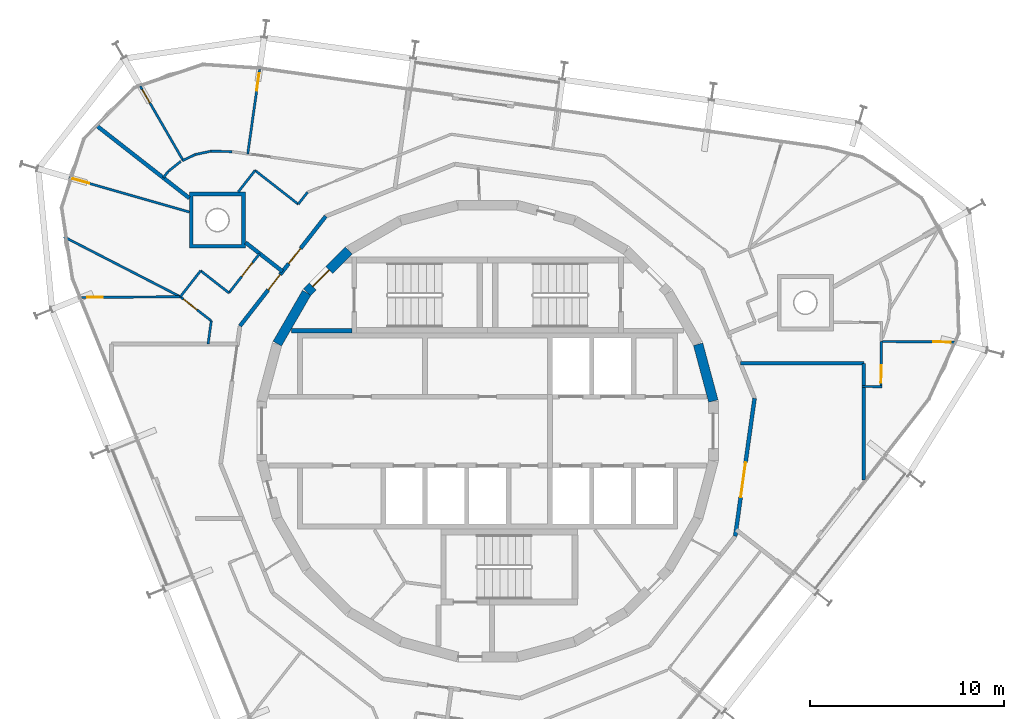
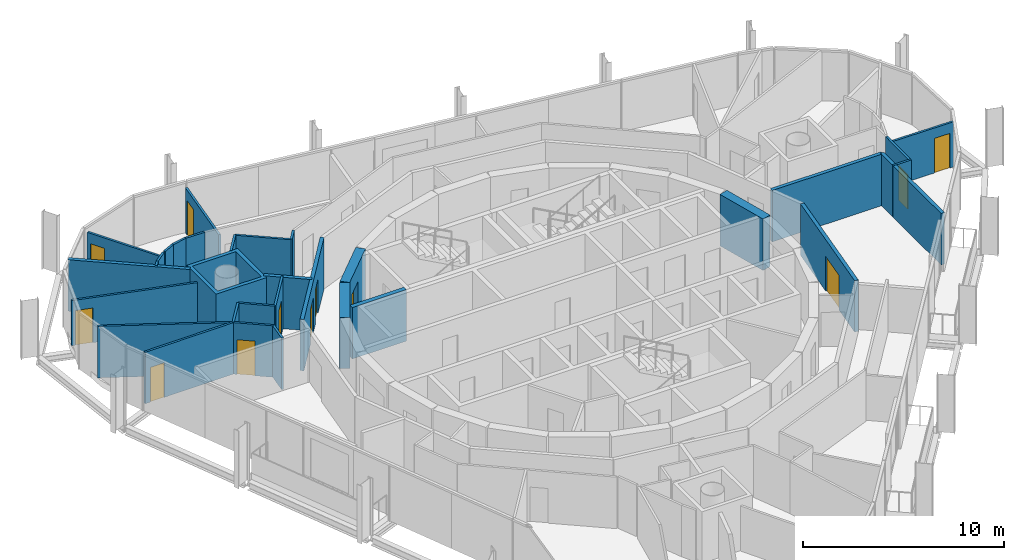
# One storey, part 12 of 15: 32 walls, 12 doors, 12 openings.
"""IFC4 building model written with IfcOpenShell, lengths in metres."""

import ifcopenshell
import ifcopenshell.guid

model = None  # the IFC model being written
_history = None  # IfcOwnerHistory: only IFC2X3 demands one
_inside = {}  # id of a spatial element -> (the spatial element, [elements in it])
_under = {}  # id of a project, library or spatial element -> (it, [spatial elements below it])
_declared = {}  # id of a project -> (the project, [libraries it declares])
_typed = {}  # id of a type object -> (the type object, [elements of that type])
_made_of = {}  # id of a material, layer set ... -> (it, [elements and type objects made of it])


def new_model(schema):
    """Start an empty IFC model of exactly this schema.

    Asked for "IFC4X3", IfcOpenShell would pick the latest addendum, in which some entities
    have other attributes; the version numbers below select the first issue.
    IFC2X3 requires an IfcOwnerHistory on every rooted entity: one is made here for all.
    """
    global model, _history
    if schema == "IFC4X3":
        model = ifcopenshell.file(schema_version=(4, 3, 0, 0))
    else:
        model = ifcopenshell.file(schema=schema)
    _inside.clear()
    _under.clear()
    _declared.clear()
    _typed.clear()
    _made_of.clear()
    _history = None
    if model.schema == "IFC2X3":
        org = make("IfcOrganization", Name="unknown")
        user = make(
            "IfcPersonAndOrganization",
            ThePerson=make("IfcPerson", FamilyName="unknown"),
            TheOrganization=org,
        )
        app = make(
            "IfcApplication",
            ApplicationDeveloper=org,
            Version="unknown",
            ApplicationFullName="unknown",
            ApplicationIdentifier="unknown",
        )
        _history = make(
            "IfcOwnerHistory",
            OwningUser=user,
            OwningApplication=app,
            ChangeAction="ADDED",
            CreationDate=0,
        )
    return model


def make(cls, **values):
    """One entity of the class cls with the attributes given. An attribute that is None is left unset."""
    return model.create_entity(
        cls, **{name: value for name, value in values.items() if value is not None}
    )


def rooted(cls, **values):
    """An entity with a GlobalId (a new one), such as an element, a storey or a relation."""
    return make(cls, GlobalId=ifcopenshell.guid.new(), OwnerHistory=_history, **values)


def si_unit(unit_type, name, prefix=None):
    """IfcSIUnit, for example si_unit("LENGTHUNIT", "METRE", prefix="MILLI")."""
    return make("IfcSIUnit", UnitType=unit_type, Prefix=prefix, Name=name)


def assignment(units):
    """IfcUnitAssignment: the units of a project."""
    return None if units is None else make("IfcUnitAssignment", Units=units)


def point(xyz):
    """IfcCartesianPoint."""
    return None if xyz is None else make("IfcCartesianPoint", Coordinates=xyz)


def direction(xyz):
    """IfcDirection."""
    return None if xyz is None else make("IfcDirection", DirectionRatios=xyz)


def frame(location, z_axis=None, x_axis=None):
    """IfcAxis2Placement3D, a coordinate frame: its origin and axes. An axis left out is left unset."""
    return make(
        "IfcAxis2Placement3D",
        Location=point(location),
        Axis=direction(z_axis),
        RefDirection=direction(x_axis),
    )


def frame_2d(location, x_axis=None):
    """IfcAxis2Placement2D, a coordinate frame in the plane: its origin and x axis."""
    return make(
        "IfcAxis2Placement2D", Location=point(location), RefDirection=direction(x_axis)
    )


def origin():
    """The frame at (0, 0, 0) with its axes left unset."""
    return frame((0.0, 0.0, 0.0))


def place(relative_to, where):
    """IfcLocalPlacement: puts the frame where relative to a parent placement (None: the world)."""
    return make(
        "IfcLocalPlacement", PlacementRelTo=relative_to, RelativePlacement=where
    )


def context(
    kind, dimensions, precision=None, world=None, true_north=None, identifier=None
):
    """IfcGeometricRepresentationContext, for example the 3D "Model" context."""
    return make(
        "IfcGeometricRepresentationContext",
        ContextIdentifier=identifier,
        ContextType=kind,
        CoordinateSpaceDimension=dimensions,
        Precision=precision,
        WorldCoordinateSystem=world,
        TrueNorth=true_north,
    )


def subcontext(parent, identifier, kind, view, scale=None):
    """IfcGeometricRepresentationSubContext, for example "Body" below "Model"."""
    return make(
        "IfcGeometricRepresentationSubContext",
        ContextIdentifier=identifier,
        ContextType=kind,
        ParentContext=parent,
        TargetScale=scale,
        TargetView=view,
    )


def project(units=None, contexts=None):
    """IfcProject with its units and contexts."""
    return rooted(
        "IfcProject",
        Name="project",
        RepresentationContexts=contexts,
        UnitsInContext=assignment(units),
    )


def spatial(cls, under=None, at=None, **own):
    """A site, building, storey or space (cls), placed at a placement, below another one or the project."""
    s = rooted(cls, ObjectPlacement=at, **own)
    if under is not None:
        _under.setdefault(under.id(), (under, []))[1].append(s)
    return s


def polyline(points):
    """IfcPolyline through the points."""
    return make("IfcPolyline", Points=[point(p) for p in points])


def profile(cls, at=None, kind="AREA", **sizes):
    """A parametric profile (cls). Its sizes go by their IFC names, for example OverallWidth=200.0."""
    return make(cls, ProfileType=kind, Position=at, **sizes)


def rectangle(**sizes):
    """IfcRectangleProfileDef."""
    return profile("IfcRectangleProfileDef", **sizes)


def outline(outer, holes=None, kind="AREA"):
    """IfcArbitraryClosedProfileDef: a profile drawn as a closed curve; with holes, ...WithVoids."""
    if holes is None:
        return make("IfcArbitraryClosedProfileDef", ProfileType=kind, OuterCurve=outer)
    return make(
        "IfcArbitraryProfileDefWithVoids",
        ProfileType=kind,
        OuterCurve=outer,
        InnerCurves=holes,
    )


def extrude(swept, where, along, depth):
    """IfcExtrudedAreaSolid: the profile swept, set in the frame where, extruded along a direction by depth."""
    return make(
        "IfcExtrudedAreaSolid",
        SweptArea=swept,
        Position=where,
        ExtrudedDirection=direction(along),
        Depth=depth,
    )


def shape(context_of_items, identifier, shape_type, items):
    """IfcShapeRepresentation: the items that make up one representation, for example the "Body"."""
    return make(
        "IfcShapeRepresentation",
        ContextOfItems=context_of_items,
        RepresentationIdentifier=identifier,
        RepresentationType=shape_type,
        Items=items,
    )


def material(Name=None, Category=None):
    """IfcMaterial."""
    return make("IfcMaterial", Name=Name, Category=Category)


def layer(
    of_material, thickness, ventilated=None, Name=None, Category=None, Priority=None
):
    """IfcMaterialLayer: one layer of a wall or slab, of a material (None: an air gap)."""
    return make(
        "IfcMaterialLayer",
        Material=of_material,
        LayerThickness=thickness,
        IsVentilated=ventilated,
        Name=Name,
        Category=Category,
        Priority=Priority,
    )


def layer_set(layers, Name=None):
    """IfcMaterialLayerSet."""
    return make("IfcMaterialLayerSet", MaterialLayers=layers, LayerSetName=Name)


def made_of(thing, what):
    """Note that an element or type object is made of a material, layer set ...; save() writes the relation."""
    if what is not None:
        _made_of.setdefault(what.id(), (what, []))[1].append(thing)
    return thing


def type_object(cls, material=None, **own):
    """A type object (cls), such as IfcWallType, which elements share."""
    return made_of(rooted(cls, **own), material)


def element(
    cls,
    number,
    at=None,
    inside=None,
    cuts=None,
    type_object=None,
    material=None,
    context=None,
    identifier="Body",
    shape_type=None,
    held_by="IfcProductDefinitionShape",
    body=None,
    shapes=None,
    **own,
):
    """One element of the class cls, such as IfcWall. Its Tag is "e" and its number.

    at: its placement. inside: the storey or other place that contains it. cuts: it is an
    opening in that element (IfcRelVoidsElement). A single representation is given by context,
    identifier, shape_type and body (its items); several are given by shapes. held_by: the class
    of the entity that holds the representations. save() writes the other relations.
    """
    e = rooted(cls, Tag="e%d" % number, ObjectPlacement=at, **own)
    if body is not None:
        shapes = [shape(context, identifier, shape_type, body)]
    if shapes is not None:
        e.Representation = make(held_by, Representations=shapes)
    if inside is not None:
        _inside.setdefault(inside.id(), (inside, []))[1].append(e)
    if cuts is not None:
        rooted(
            "IfcRelVoidsElement", RelatingBuildingElement=cuts, RelatedOpeningElement=e
        )
    if type_object is not None:
        _typed.setdefault(type_object.id(), (type_object, []))[1].append(e)
    return made_of(e, material)


def fill(opening, filler):
    """IfcRelFillsElement: the door or window that sits in an opening."""
    return rooted(
        "IfcRelFillsElement",
        RelatingOpeningElement=opening,
        RelatedBuildingElement=filler,
    )


def aggregate(whole, parts):
    """IfcRelAggregates: a whole, such as a stair, and the parts it consists of."""
    return rooted("IfcRelAggregates", RelatingObject=whole, RelatedObjects=parts)


def save(model, path):
    """Write the relations noted so far, then the file.

    IfcRelAggregates (storeys below a building ...), IfcRelContainedInSpatialStructure (elements
    in a storey), IfcRelDefinesByType, IfcRelAssociatesMaterial and IfcRelDeclares: one each for
    every whole, place, type object, material and project.
    """
    for whole, parts in _under.values():
        aggregate(whole, parts)
    for where, things in _inside.values():
        rooted(
            "IfcRelContainedInSpatialStructure",
            RelatedElements=things,
            RelatingStructure=where,
        )
    for kind, things in _typed.values():
        rooted("IfcRelDefinesByType", RelatedObjects=things, RelatingType=kind)
    for what, things in _made_of.values():
        rooted("IfcRelAssociatesMaterial", RelatedObjects=things, RelatingMaterial=what)
    for by, libraries in _declared.values():
        rooted("IfcRelDeclares", RelatingContext=by, RelatedDefinitions=libraries)
    model.write(path)


model = new_model("IFC4")

# Units and contexts
model_context = context("Model", 3, precision=1e-05, world=origin(), true_north=direction((0.0, 1.0)))
body_context = subcontext(model_context, "Body", "Model", "MODEL_VIEW")
ifc_project = project(units=[si_unit("LENGTHUNIT", "METRE"), si_unit("AREAUNIT", "SQUARE_METRE"), si_unit("VOLUMEUNIT", "CUBIC_METRE"), si_unit("PLANEANGLEUNIT", "RADIAN"), si_unit("MASSUNIT", "GRAM", prefix="KILO")], contexts=[model_context])

# Site, building, storey
site_placement = place(None, origin())
site = spatial("IfcSite", under=ifc_project, at=site_placement, CompositionType="ELEMENT")
building_placement = place(site_placement, origin())
building = spatial("IfcBuilding", under=site, at=building_placement, Name="Spindle Arch Residences", CompositionType="ELEMENT")
storey_placement = place(building_placement, frame((0.0, 0.0, 340.0)))
storey = spatial("IfcBuildingStorey", under=building, at=storey_placement, Name="L87", CompositionType="ELEMENT", Elevation=340.0)

# Wall
ifc_material_1 = material(Name="Concrete C50/60", Category="concrete")
ifc_layer_1 = layer(ifc_material_1, 0.5)
ifc_layer_set_1 = layer_set([ifc_layer_1], Name="Core outline wall 500")
wall_type_1 = type_object("IfcWallType", Name="Core outline wall 500", PredefinedType="SHEAR", material=ifc_layer_set_1)
wall_1_placement = place(storey_placement, frame((11.642822265625, 1.5498046875, 0.0), z_axis=(0.0, 0.0, 1.0), x_axis=(-0.258734743916, 0.965948410781, 0.0)))
element("IfcWall", 1, at=wall_1_placement, inside=storey, type_object=wall_type_1, Name="Core outline wall 7", PredefinedType="SHEAR", context=body_context, shape_type="SweptSolid", body=[
    extrude(rectangle(XDim=3.03271484375, YDim=0.5, at=frame_2d((1.516357421875, 0.0))), origin(), (0.0, 0.0, 1.0), 3.1201171875),
])

# Wall, opening, door
wall_2_placement = place(storey_placement, frame((-7.163818359375, 9.30810546875, 0.0), z_axis=(0.0, 0.0, 1.0), x_axis=(-0.707106781187, -0.707106781187, 0.0)))
wall_2 = element("IfcWall", 2, at=wall_2_placement, inside=storey, type_object=wall_type_1, Name="Core outline wall 15", PredefinedType="SHEAR", context=body_context, shape_type="SweptSolid", body=[
    extrude(rectangle(XDim=3.032470703125, YDim=0.5, at=frame_2d((1.51611328125, 0.0))), origin(), (0.0, 0.0, 1.0), 3.1201171875),
])
opening_1_placement = place(wall_2_placement, frame((1.416259765625, 0.0, 0.0)))
opening_1 = element("IfcOpeningElement", 3, at=opening_1_placement, cuts=wall_2, Name="Opening R9A0-AD02", PredefinedType="OPENING", context=body_context, shape_type="SweptSolid", body=[
    extrude(rectangle(XDim=1.199951171875, YDim=2.10009765625, at=frame_2d((0.60009765625, 1.050048828125))), frame((0.0, 0.260009765625, 0.0), z_axis=(0.0, -1.0, 0.0), x_axis=(1.0, 0.0, 0.0)), (0.0, 0.0, 1.0), 0.52001953125),
])
ifc_material_2 = material(Name="Steel, fire-resisting door", Category="steel")
door_type_1 = type_object("IfcDoorType", Name="Stair airlock door 1200x2100", OperationType="SINGLE_SWING_LEFT", PredefinedType="DOOR", material=ifc_material_2)
door_1_placement = place(opening_1_placement, origin())
door_1 = element("IfcDoor", 4, at=door_1_placement, inside=storey, type_object=door_type_1, Name="Stair airlock door R9A0-AD02", OperationType="SINGLE_SWING_RIGHT", OverallHeight=2.10009765625, OverallWidth=1.199951171875, PredefinedType="DOOR", context=body_context, shape_type="SweptSolid", body=[
    extrude(rectangle(XDim=1.199951171875, YDim=2.10009765625, at=frame_2d((0.60009765625, 1.050048828125))), frame((0.0, 0.02490234375, 0.0), z_axis=(0.0, -1.0, 0.0), x_axis=(1.0, 0.0, 0.0)), (0.0, 0.0, 1.0), 0.050048828125),
])
fill(opening_1, door_1)

# Wall
wall_3_placement = place(storey_placement, frame((-9.32861328125, 7.13671875, 0.0), z_axis=(0.0, 0.0, 1.0), x_axis=(-0.500087131594, -0.865975092491, 0.0)))
element("IfcWall", 5, at=wall_3_placement, inside=storey, type_object=wall_type_1, Name="Core outline wall 16", PredefinedType="SHEAR", context=body_context, shape_type="SweptSolid", body=[
    extrude(rectangle(XDim=3.03271484375, YDim=0.5, at=frame_2d((1.516357421875, 0.0))), origin(), (0.0, 0.0, 1.0), 3.1201171875),
])

# Wall, openings, doors
ifc_material_3 = material(Name="Calcium silicate block, plastered")
ifc_layer_2 = layer(ifc_material_3, 0.199951171875)
ifc_layer_set_2 = layer_set([ifc_layer_2], Name="Corridor wall 200")
wall_type_2 = type_object("IfcWallType", Name="Corridor wall 200", PredefinedType="STANDARD", material=ifc_layer_set_2)
wall_4_placement = place(storey_placement, frame((-8.348876953125, 11.0791015625, 0.0), z_axis=(0.0, 0.0, 1.0), x_axis=(-0.615669112324, -0.78800478687, 0.0)))
wall_4 = element("IfcWall", 6, at=wall_4_placement, inside=storey, type_object=wall_type_2, Name="Corridor wall R9A0-W012", PredefinedType="STANDARD", context=body_context, shape_type="SweptSolid", body=[
    extrude(rectangle(XDim=7.18115234375, YDim=0.199951171875, at=frame_2d((3.590576171875, 0.0))), origin(), (0.0, 0.0, 1.0), 3.1201171875),
])
opening_2_placement = place(wall_4_placement, frame((2.10009765625, 0.0, 0.0)))
opening_2 = element("IfcOpeningElement", 7, at=opening_2_placement, cuts=wall_4, Name="Opening R9A0-FD03", PredefinedType="OPENING", context=body_context, shape_type="SweptSolid", body=[
    extrude(rectangle(XDim=1.0, YDim=2.10009765625, at=frame_2d((0.5, 1.050048828125))), frame((0.0, 0.10986328125, 0.0), z_axis=(0.0, -1.0, 0.0), x_axis=(1.0, 0.0, 0.0)), (0.0, 0.0, 1.0), 0.219970703125),
])
opening_3_placement = place(wall_4_placement, frame((3.811279296875, 0.0, 0.0)))
opening_3 = element("IfcOpeningElement", 8, at=opening_3_placement, cuts=wall_4, Name="Opening R9A0-FD04", PredefinedType="OPENING", context=body_context, shape_type="SweptSolid", body=[
    extrude(rectangle(XDim=1.0, YDim=2.10009765625, at=frame_2d((0.5, 1.050048828125))), frame((0.0, 0.10986328125, 0.0), z_axis=(0.0, -1.0, 0.0), x_axis=(1.0, 0.0, 0.0)), (0.0, 0.0, 1.0), 0.219970703125),
])
ifc_material_4 = material(Name="Timber, fire-resisting door set", Category="wood")
door_type_2 = type_object("IfcDoorType", Name="Flat entrance door 1000x2100", OperationType="NOTDEFINED", PredefinedType="DOOR", material=ifc_material_4)
door_2_placement = place(opening_2_placement, origin())
door_2 = element("IfcDoor", 9, at=door_2_placement, inside=storey, type_object=door_type_2, Name="Flat entrance door R9A0-FD03", OperationType="SINGLE_SWING_RIGHT", OverallHeight=2.10009765625, OverallWidth=1.0, PredefinedType="DOOR", context=body_context, shape_type="SweptSolid", body=[
    extrude(rectangle(XDim=1.0, YDim=2.10009765625, at=frame_2d((0.5, 1.050048828125))), frame((0.0, 0.02490234375, 0.0), z_axis=(0.0, -1.0, 0.0), x_axis=(1.0, 0.0, 0.0)), (0.0, 0.0, 1.0), 0.050048828125),
])
fill(opening_2, door_2)
door_3_placement = place(opening_3_placement, origin())
door_3 = element("IfcDoor", 10, at=door_3_placement, inside=storey, type_object=door_type_2, Name="Flat entrance door R9A0-FD04", OperationType="SINGLE_SWING_LEFT", OverallHeight=2.10009765625, OverallWidth=1.0, PredefinedType="DOOR", context=body_context, shape_type="SweptSolid", body=[
    extrude(rectangle(XDim=1.0, YDim=2.10009765625, at=frame_2d((0.5, 1.050048828125))), frame((0.0, 0.02490234375, 0.0), z_axis=(0.0, -1.0, 0.0), x_axis=(1.0, 0.0, 0.0)), (0.0, 0.0, 1.0), 0.050048828125),
])
fill(opening_3, door_3)

# Wall, opening, door
ifc_material_5 = material(Name="Calcium silicate block, plastered")
ifc_layer_3 = layer(ifc_material_5, 0.199951171875)
ifc_layer_set_3 = layer_set([ifc_layer_3], Name="Fire-lift lobby bay wall 200")
wall_type_3 = type_object("IfcWallType", Name="Fire-lift lobby bay wall 200", PredefinedType="STANDARD", material=ifc_layer_set_3)
wall_5_placement = place(storey_placement, frame((12.77001953125, -5.42041015625, 0.0), z_axis=(0.0, 0.0, 1.0), x_axis=(0.139155334385, 0.990270565508, 0.0)))
wall_5 = element("IfcWall", 11, at=wall_5_placement, inside=storey, type_object=wall_type_3, Name="Fire-lift lobby bay wall R9A0-W004", PredefinedType="STANDARD", context=body_context, shape_type="SweptSolid", body=[
    extrude(rectangle(XDim=7.180908203125, YDim=0.199951171875, at=frame_2d((3.59033203125, 0.0))), origin(), (0.0, 0.0, 1.0), 3.1201171875),
])
opening_4_placement = place(wall_5_placement, frame((2.039306640625, 0.0, 0.0)))
opening_4 = element("IfcOpeningElement", 12, at=opening_4_placement, cuts=wall_5, Name="Opening R9A0-FB01", PredefinedType="OPENING", context=body_context, shape_type="SweptSolid", body=[
    extrude(rectangle(XDim=1.800048828125, YDim=2.10009765625, at=frame_2d((0.89990234375, 1.050048828125))), frame((0.0, 0.10986328125, 0.0), z_axis=(0.0, -1.0, 0.0), x_axis=(1.0, 0.0, 0.0)), (0.0, 0.0, 1.0), 0.219970703125),
])
ifc_material_6 = material(Name="Steel, fire-resisting door", Category="steel")
door_type_3 = type_object("IfcDoorType", Name="Fire-lift lobby bay door 1800x2100", OperationType="NOTDEFINED", PredefinedType="DOOR", material=ifc_material_6)
door_4_placement = place(opening_4_placement, origin())
door_4 = element("IfcDoor", 13, at=door_4_placement, inside=storey, type_object=door_type_3, Name="Fire-lift lobby bay door R9A0-FB01", OperationType="DOUBLE_DOOR_SINGLE_SWING", OverallHeight=2.10009765625, OverallWidth=1.800048828125, PredefinedType="DOOR", context=body_context, shape_type="SweptSolid", body=[
    extrude(rectangle(XDim=1.800048828125, YDim=2.10009765625, at=frame_2d((0.89990234375, 1.050048828125))), frame((0.0, 0.02490234375, 0.0), z_axis=(0.0, -1.0, 0.0), x_axis=(1.0, 0.0, 0.0)), (0.0, 0.0, 1.0), 0.050048828125),
])
fill(opening_4, door_4)

# Walls
wall_6_placement = place(storey_placement, frame((19.39990234375, -2.519287109375, 0.0), z_axis=(0.0, 0.0, 1.0), x_axis=(0.0, 1.0, 0.0)))
element("IfcWall", 14, at=wall_6_placement, inside=storey, type_object=wall_type_3, Name="Fire-lift lobby bay wall R9A0-W020", PredefinedType="STANDARD", context=body_context, shape_type="SweptSolid", body=[
    extrude(rectangle(XDim=6.019287109375, YDim=0.199951171875, at=frame_2d((3.009765625, 0.0))), origin(), (0.0, 0.0, 1.0), 3.1201171875),
])
wall_7_placement = place(storey_placement, frame((19.39990234375, 3.5, 0.0), z_axis=(0.0, 0.0, 1.0), x_axis=(-1.0, 0.0, 0.0)))
element("IfcWall", 15, at=wall_7_placement, inside=storey, type_object=wall_type_3, Name="Fire-lift lobby bay wall R9A0-W021", PredefinedType="STANDARD", context=body_context, shape_type="SweptSolid", body=[
    extrude(rectangle(XDim=6.361572265625, YDim=0.199951171875, at=frame_2d((3.1806640625, 0.0))), origin(), (0.0, 0.0, 1.0), 3.1201171875),
])
ifc_material_7 = material(Name="Plasterboard on steel studs", Category="steel")
ifc_layer_4 = layer(ifc_material_7, 0.1201171875)
ifc_layer_set_4 = layer_set([ifc_layer_4], Name="Flat partition 120")
wall_type_4 = type_object("IfcWallType", Name="Flat partition 120", PredefinedType="PARTITIONING", material=ifc_layer_set_4)
wall_8_placement = place(storey_placement, frame((19.300048828125, 2.302001953125, 0.0), z_axis=(0.0, 0.0, 1.0), x_axis=(0.999958506341, -0.009109643015, 0.0)))
element("IfcWall", 16, at=wall_8_placement, inside=storey, type_object=wall_type_4, Name="Flat partition R9A0-W031", PredefinedType="PARTITIONING", context=body_context, shape_type="SweptSolid", body=[
    extrude(rectangle(XDim=1.045166015625, YDim=0.1201171875, at=frame_2d((0.5224609375, 0.0))), origin(), (0.0, 0.0, 1.0), 3.1201171875),
])

# Wall, opening, door
wall_9_placement = place(storey_placement, frame((20.285400390625, 2.29296875, 0.0), z_axis=(0.0, 0.0, 1.0), x_axis=(0.008900171034, 0.999960392693, 0.0)))
wall_9 = element("IfcWall", 17, at=wall_9_placement, inside=storey, type_object=wall_type_4, Name="Flat partition R9A0-W032", PredefinedType="PARTITIONING", context=body_context, shape_type="SweptSolid", body=[
    extrude(rectangle(XDim=2.33154296875, YDim=0.1201171875, at=frame_2d((1.165771484375, 0.0))), origin(), (0.0, 0.0, 1.0), 3.1201171875),
])
opening_5_placement = place(wall_9_placement, frame((0.199951171875, 0.0, 0.0)))
opening_5 = element("IfcOpeningElement", 18, at=opening_5_placement, cuts=wall_9, Name="Opening R9A0-ID01", PredefinedType="OPENING", context=body_context, shape_type="SweptSolid", body=[
    extrude(rectangle(XDim=0.89990234375, YDim=2.10009765625, at=frame_2d((0.449951171875, 1.050048828125))), frame((0.0, 0.070068359375, 0.0), z_axis=(0.0, -1.0, 0.0), x_axis=(1.0, 0.0, 0.0)), (0.0, 0.0, 1.0), 0.14013671875),
])
ifc_material_8 = material(Name="Timber door set", Category="wood")
door_type_4 = type_object("IfcDoorType", Name="Room door 900x2100", OperationType="NOTDEFINED", PredefinedType="DOOR", material=ifc_material_8)
door_5_placement = place(opening_5_placement, origin())
door_5 = element("IfcDoor", 19, at=door_5_placement, inside=storey, type_object=door_type_4, Name="Room door R9A0-ID01", OperationType="SINGLE_SWING_RIGHT", OverallHeight=2.10009765625, OverallWidth=0.89990234375, PredefinedType="DOOR", context=body_context, shape_type="SweptSolid", body=[
    extrude(rectangle(XDim=0.89990234375, YDim=2.10009765625, at=frame_2d((0.449951171875, 1.050048828125))), frame((0.0, 0.02490234375, 0.0), z_axis=(0.0, -1.0, 0.0), x_axis=(1.0, 0.0, 0.0)), (0.0, 0.0, 1.0), 0.050048828125),
])
fill(opening_5, door_5)

# Walls
wall_10_placement = place(storey_placement, frame((-9.283447265625, 12.3193359375, 0.0), z_axis=(0.0, 0.0, 1.0), x_axis=(-0.615735018346, -0.787953289975, 0.0)))
element("IfcWall", 20, at=wall_10_placement, inside=storey, type_object=wall_type_4, Name="Flat partition R9A0-W053", PredefinedType="PARTITIONING", context=body_context, shape_type="SweptSolid", body=[
    extrude(rectangle(XDim=0.781005859375, YDim=0.1201171875, at=frame_2d((0.390625, 0.0))), origin(), (0.0, 0.0, 1.0), 3.1201171875),
])
wall_11_placement = place(storey_placement, frame((-9.764404296875, 11.703857421875, 0.0), z_axis=(0.0, 0.0, 1.0), x_axis=(-0.787996873396, 0.615679240772, 0.0)))
element("IfcWall", 21, at=wall_11_placement, inside=storey, type_object=wall_type_4, Name="Flat partition R9A0-W054", PredefinedType="PARTITIONING", context=body_context, shape_type="SweptSolid", body=[
    extrude(rectangle(XDim=2.826416015625, YDim=0.1201171875, at=frame_2d((1.4130859375, 0.0))), origin(), (0.0, 0.0, 1.0), 3.1201171875),
])
wall_12_placement = place(storey_placement, frame((-11.99169921875, 13.444091796875, 0.0), z_axis=(0.0, 0.0, 1.0), x_axis=(-0.615593635541, -0.788063751153, 0.0)))
element("IfcWall", 22, at=wall_12_placement, inside=storey, type_object=wall_type_4, Name="Flat partition R9A0-W055", PredefinedType="PARTITIONING", context=body_context, shape_type="SweptSolid", body=[
    extrude(rectangle(XDim=1.409912109375, YDim=0.1201171875, at=frame_2d((0.705078125, 0.0))), origin(), (0.0, 0.0, 1.0), 3.1201171875),
])
wall_13_placement = place(storey_placement, frame((-15.7431640625, 13.947509765625, 0.0), z_axis=(0.0, 0.0, 1.0), x_axis=(0.903885078158, 0.427775368019, 0.0)))
element("IfcWall", 23, at=wall_13_placement, inside=storey, type_object=wall_type_4, Name="Flat partition R9A0-W058", PredefinedType="PARTITIONING", context=body_context, shape_type="SweptSolid", body=[
    extrude(rectangle(XDim=0.742431640625, YDim=0.1201171875, at=frame_2d((0.37109375, 0.0))), origin(), (0.0, 0.0, 1.0), 3.1201171875),
])
wall_14_placement = place(storey_placement, frame((-15.072021484375, 14.26513671875, 0.0), z_axis=(0.0, 0.0, 1.0), x_axis=(0.978141630921, 0.207939774595, 0.0)))
element("IfcWall", 24, at=wall_14_placement, inside=storey, type_object=wall_type_4, Name="Flat partition R9A0-W059", PredefinedType="PARTITIONING", context=body_context, shape_type="SweptSolid", body=[
    extrude(rectangle(XDim=0.828857421875, YDim=0.1201171875, at=frame_2d((0.41455078125, 0.0))), origin(), (0.0, 0.0, 1.0), 3.1201171875),
])
wall_15_placement = place(storey_placement, frame((-14.26123046875, 14.4375, 0.0), z_axis=(0.0, 0.0, 1.0), x_axis=(0.999732237365, -0.023139869764, 0.0)))
element("IfcWall", 25, at=wall_15_placement, inside=storey, type_object=wall_type_4, Name="Flat partition R9A0-W060", PredefinedType="PARTITIONING", context=body_context, shape_type="SweptSolid", body=[
    extrude(rectangle(XDim=1.086669921875, YDim=0.1201171875, at=frame_2d((0.54345703125, 0.0))), origin(), (0.0, 0.0, 1.0), 3.1201171875),
])
wall_16_placement = place(storey_placement, frame((-15.8212890625, 13.910400390625, 0.0), z_axis=(0.0, 0.0, 1.0), x_axis=(-0.780840072472, -0.624730967074, 0.0)))
element("IfcWall", 26, at=wall_16_placement, inside=storey, type_object=wall_type_4, Name="Flat partition R9A0-W062", PredefinedType="PARTITIONING", context=body_context, shape_type="SweptSolid", body=[
    extrude(rectangle(XDim=0.828857421875, YDim=0.1201171875, at=frame_2d((0.41455078125, 0.0))), origin(), (0.0, 0.0, 1.0), 3.1201171875),
])
wall_17_placement = place(storey_placement, frame((-16.468505859375, 13.392578125, 0.0), z_axis=(0.0, 0.0, 1.0), x_axis=(-0.615815563257, -0.787890342656, 0.0)))
element("IfcWall", 27, at=wall_17_placement, inside=storey, type_object=wall_type_4, Name="Flat partition R9A0-W063", PredefinedType="PARTITIONING", context=body_context, shape_type="SweptSolid", body=[
    extrude(rectangle(XDim=0.414306640625, YDim=0.1201171875, at=frame_2d((0.20703125, 0.0))), origin(), (0.0, 0.0, 1.0), 3.1201171875),
])

# Wall, opening, door
wall_18_placement = place(storey_placement, frame((-11.75439453125, 9.156982421875, 0.0), z_axis=(0.0, 0.0, 1.0), x_axis=(-0.615568539365, -0.788083354312, 0.0)))
wall_18 = element("IfcWall", 28, at=wall_18_placement, inside=storey, type_object=wall_type_4, Name="Flat partition R9A0-W064", PredefinedType="PARTITIONING", context=body_context, shape_type="SweptSolid", body=[
    extrude(rectangle(XDim=2.57275390625, YDim=0.1201171875, at=frame_2d((1.286376953125, 0.0))), origin(), (0.0, 0.0, 1.0), 3.1201171875),
])
opening_6_placement = place(wall_18_placement, frame((0.60009765625, 0.0, 0.0)))
opening_6 = element("IfcOpeningElement", 29, at=opening_6_placement, cuts=wall_18, Name="Opening R9A0-ID12", PredefinedType="OPENING", context=body_context, shape_type="SweptSolid", body=[
    extrude(rectangle(XDim=0.89990234375, YDim=2.10009765625, at=frame_2d((0.449951171875, 1.050048828125))), frame((0.0, 0.070068359375, 0.0), z_axis=(0.0, -1.0, 0.0), x_axis=(1.0, 0.0, 0.0)), (0.0, 0.0, 1.0), 0.14013671875),
])
door_6_placement = place(opening_6_placement, origin())
door_6 = element("IfcDoor", 30, at=door_6_placement, inside=storey, type_object=door_type_4, Name="Room door R9A0-ID12", OperationType="SINGLE_SWING_LEFT", OverallHeight=2.10009765625, OverallWidth=0.89990234375, PredefinedType="DOOR", context=body_context, shape_type="SweptSolid", body=[
    extrude(rectangle(XDim=0.89990234375, YDim=2.10009765625, at=frame_2d((0.449951171875, 1.050048828125))), frame((0.0, 0.02490234375, 0.0), z_axis=(0.0, -1.0, 0.0), x_axis=(1.0, 0.0, 0.0)), (0.0, 0.0, 1.0), 0.050048828125),
])
fill(opening_6, door_6)

# Walls
wall_19_placement = place(storey_placement, frame((-13.338134765625, 7.12939453125, 0.0), z_axis=(0.0, 0.0, 1.0), x_axis=(-0.787938483233, 0.615753965997, 0.0)))
element("IfcWall", 31, at=wall_19_placement, inside=storey, type_object=wall_type_4, Name="Flat partition R9A0-W065", PredefinedType="PARTITIONING", context=body_context, shape_type="SweptSolid", body=[
    extrude(rectangle(XDim=1.853271484375, YDim=0.1201171875, at=frame_2d((0.9267578125, 0.0))), origin(), (0.0, 0.0, 1.0), 3.1201171875),
])
wall_20_placement = place(storey_placement, frame((-14.79833984375, 8.2705078125, 0.0), z_axis=(0.0, 0.0, 1.0), x_axis=(-0.615669123866, -0.788004777852, 0.0)))
element("IfcWall", 32, at=wall_20_placement, inside=storey, type_object=wall_type_4, Name="Flat partition R9A0-W066", PredefinedType="PARTITIONING", context=body_context, shape_type="SweptSolid", body=[
    extrude(rectangle(XDim=1.699951171875, YDim=0.1201171875, at=frame_2d((0.85009765625, 0.0))), origin(), (0.0, 0.0, 1.0), 3.1201171875),
])

# Wall, opening, door
wall_21_placement = place(storey_placement, frame((-15.844970703125, 6.930908203125, 0.0), z_axis=(0.0, 0.0, 1.0), x_axis=(0.787962283792, -0.615723508827, 0.0)))
wall_21 = element("IfcWall", 33, at=wall_21_placement, inside=storey, type_object=wall_type_4, Name="Flat partition R9A0-W067", PredefinedType="PARTITIONING", context=body_context, shape_type="SweptSolid", body=[
    extrude(rectangle(XDim=2.02685546875, YDim=0.1201171875, at=frame_2d((1.013427734375, 0.0))), origin(), (0.0, 0.0, 1.0), 3.1201171875),
])
opening_7_placement = place(wall_21_placement, frame((0.199951171875, 0.0, 0.0)))
opening_7 = element("IfcOpeningElement", 34, at=opening_7_placement, cuts=wall_21, Name="Opening R9A0-ID13", PredefinedType="OPENING", context=body_context, shape_type="SweptSolid", body=[
    extrude(rectangle(XDim=0.89990234375, YDim=2.10009765625, at=frame_2d((0.449951171875, 1.050048828125))), frame((0.0, 0.070068359375, 0.0), z_axis=(0.0, -1.0, 0.0), x_axis=(1.0, 0.0, 0.0)), (0.0, 0.0, 1.0), 0.14013671875),
])
door_7_placement = place(opening_7_placement, origin())
door_7 = element("IfcDoor", 35, at=door_7_placement, inside=storey, type_object=door_type_4, Name="Room door R9A0-ID13", OperationType="SINGLE_SWING_LEFT", OverallHeight=2.10009765625, OverallWidth=0.89990234375, PredefinedType="DOOR", context=body_context, shape_type="SweptSolid", body=[
    extrude(rectangle(XDim=0.89990234375, YDim=2.10009765625, at=frame_2d((0.449951171875, 1.050048828125))), frame((0.0, 0.02490234375, 0.0), z_axis=(0.0, -1.0, 0.0), x_axis=(1.0, 0.0, 0.0)), (0.0, 0.0, 1.0), 0.050048828125),
])
fill(opening_7, door_7)

# Walls
wall_22_placement = place(storey_placement, frame((-14.247802734375, 5.682861328125, 0.0), z_axis=(0.0, 0.0, 1.0), x_axis=(-0.139189066398, -0.990265824814, 0.0)))
element("IfcWall", 36, at=wall_22_placement, inside=storey, type_object=wall_type_4, Name="Flat partition R9A0-W068", PredefinedType="PARTITIONING", context=body_context, shape_type="SweptSolid", body=[
    extrude(rectangle(XDim=1.194580078125, YDim=0.1201171875, at=frame_2d((0.59716796875, 0.0))), origin(), (0.0, 0.0, 1.0), 3.1201171875),
])
wall_23_placement = place(storey_placement, frame((-21.85009765625, 10.021484375, 0.0), z_axis=(0.0, 0.0, 1.0), x_axis=(0.889153763622, -0.457608549567, 0.0)))
element("IfcWall", 37, at=wall_23_placement, inside=storey, type_object=wall_type_4, Name="Flat partition R9A0-W070", PredefinedType="PARTITIONING", context=body_context, shape_type="SweptSolid", body=[
    extrude(rectangle(XDim=6.753662109375, YDim=0.1201171875, at=frame_2d((3.376953125, 0.0))), origin(), (0.0, 0.0, 1.0), 3.1201171875),
])

# Wall, opening, door
wall_24_placement = place(storey_placement, frame((-20.945556640625, 6.892333984375, 0.0), z_axis=(0.0, 0.0, 1.0), x_axis=(0.999971403985, 0.007562487164, 0.0)))
wall_24 = element("IfcWall", 38, at=wall_24_placement, inside=storey, type_object=wall_type_4, Name="Flat partition R9A0-W071", PredefinedType="PARTITIONING", context=body_context, shape_type="SweptSolid", body=[
    extrude(rectangle(XDim=5.100830078125, YDim=0.1201171875, at=frame_2d((2.55029296875, 0.0))), origin(), (0.0, 0.0, 1.0), 3.1201171875),
])
opening_8_placement = place(wall_24_placement, frame((0.300048828125, 0.0, 0.0)))
opening_8 = element("IfcOpeningElement", 39, at=opening_8_placement, cuts=wall_24, Name="Opening R9A0-BD04", PredefinedType="OPENING", context=body_context, shape_type="SweptSolid", body=[
    extrude(rectangle(XDim=0.800048828125, YDim=2.10009765625, at=frame_2d((0.39990234375, 1.050048828125))), frame((0.0, 0.070068359375, 0.0), z_axis=(0.0, -1.0, 0.0), x_axis=(1.0, 0.0, 0.0)), (0.0, 0.0, 1.0), 0.14013671875),
])
ifc_material_9 = material(Name="Timber door set", Category="wood")
door_type_5 = type_object("IfcDoorType", Name="Bathroom door 800x2100", OperationType="NOTDEFINED", PredefinedType="DOOR", material=ifc_material_9)
door_8_placement = place(opening_8_placement, origin())
door_8 = element("IfcDoor", 40, at=door_8_placement, inside=storey, type_object=door_type_5, Name="Bathroom door R9A0-BD04", OperationType="SINGLE_SWING_LEFT", OverallHeight=2.10009765625, OverallWidth=0.800048828125, PredefinedType="DOOR", context=body_context, shape_type="SweptSolid", body=[
    extrude(rectangle(XDim=0.800048828125, YDim=2.10009765625, at=frame_2d((0.39990234375, 1.050048828125))), frame((0.0, 0.02490234375, 0.0), z_axis=(0.0, -1.0, 0.0), x_axis=(1.0, 0.0, 0.0)), (0.0, 0.0, 1.0), 0.050048828125),
])
fill(opening_8, door_8)

ifc_material_10 = material(Name="Plasterboard on steel studs", Category="steel")
ifc_layer_5 = layer(ifc_material_10, 0.1201171875)
ifc_layer_set_5 = layer_set([ifc_layer_5], Name="Flat partition 120 under beam 2730")
wall_type_5 = type_object("IfcWallType", Name="Flat partition 120 under beam 2730", PredefinedType="PARTITIONING", material=ifc_layer_set_5)
wall_25_placement = place(storey_placement, frame((24.084716796875, 4.5908203125, 0.0), z_axis=(0.0, 0.0, 1.0), x_axis=(-0.99996025077, 0.008916102255, 0.0)))
wall_25 = element("IfcWall", 41, at=wall_25_placement, inside=storey, type_object=wall_type_5, Name="Flat partition R9A0-W035", PredefinedType="PARTITIONING", context=body_context, shape_type="SweptSolid", body=[
    extrude(rectangle(XDim=3.77880859375, YDim=0.1201171875, at=frame_2d((1.889404296875, 0.0))), origin(), (0.0, 0.0, 1.0), 2.72998046875),
])
opening_9_placement = place(wall_25_placement, frame((0.199951171875, 0.0, 0.0)))
opening_9 = element("IfcOpeningElement", 42, at=opening_9_placement, cuts=wall_25, Name="Opening R9A0-ID03", PredefinedType="OPENING", context=body_context, shape_type="SweptSolid", body=[
    extrude(rectangle(XDim=0.89990234375, YDim=2.10009765625, at=frame_2d((0.449951171875, 1.050048828125))), frame((0.0, 0.070068359375, 0.0), z_axis=(0.0, -1.0, 0.0), x_axis=(1.0, 0.0, 0.0)), (0.0, 0.0, 1.0), 0.14013671875),
])
door_9_placement = place(opening_9_placement, origin())
door_9 = element("IfcDoor", 43, at=door_9_placement, inside=storey, type_object=door_type_4, Name="Room door R9A0-ID03", OperationType="SINGLE_SWING_RIGHT", OverallHeight=2.10009765625, OverallWidth=0.89990234375, PredefinedType="DOOR", context=body_context, shape_type="SweptSolid", body=[
    extrude(rectangle(XDim=0.89990234375, YDim=2.10009765625, at=frame_2d((0.449951171875, 1.050048828125))), frame((0.0, 0.02490234375, 0.0), z_axis=(0.0, -1.0, 0.0), x_axis=(1.0, 0.0, 0.0)), (0.0, 0.0, 1.0), 0.050048828125),
])
fill(opening_9, door_9)

wall_26_placement = place(storey_placement, frame((-11.7548828125, 18.656005859375, 0.0), z_axis=(0.0, 0.0, 1.0), x_axis=(-0.13916046232, -0.990269844904, 0.0)))
wall_26 = element("IfcWall", 44, at=wall_26_placement, inside=storey, type_object=wall_type_5, Name="Flat partition R9A0-W056", PredefinedType="PARTITIONING", context=body_context, shape_type="SweptSolid", body=[
    extrude(rectangle(XDim=4.39990234375, YDim=0.1201171875, at=frame_2d((2.199951171875, 0.0))), origin(), (0.0, 0.0, 1.0), 2.72998046875),
])
opening_10_placement = place(wall_26_placement, frame((0.199951171875, 0.0, 0.0)))
opening_10 = element("IfcOpeningElement", 45, at=opening_10_placement, cuts=wall_26, Name="Opening R9A0-ID10", PredefinedType="OPENING", context=body_context, shape_type="SweptSolid", body=[
    extrude(rectangle(XDim=0.89990234375, YDim=2.10009765625, at=frame_2d((0.449951171875, 1.050048828125))), frame((0.0, 0.070068359375, 0.0), z_axis=(0.0, -1.0, 0.0), x_axis=(1.0, 0.0, 0.0)), (0.0, 0.0, 1.0), 0.14013671875),
])
door_10_placement = place(opening_10_placement, origin())
door_10 = element("IfcDoor", 46, at=door_10_placement, inside=storey, type_object=door_type_4, Name="Room door R9A0-ID10", OperationType="SINGLE_SWING_RIGHT", OverallHeight=2.10009765625, OverallWidth=0.89990234375, PredefinedType="DOOR", context=body_context, shape_type="SweptSolid", body=[
    extrude(rectangle(XDim=0.89990234375, YDim=2.10009765625, at=frame_2d((0.449951171875, 1.050048828125))), frame((0.0, 0.02490234375, 0.0), z_axis=(0.0, -1.0, 0.0), x_axis=(1.0, 0.0, 0.0)), (0.0, 0.0, 1.0), 0.050048828125),
])
fill(opening_10, door_10)

wall_27_placement = place(storey_placement, frame((-17.912353515625, 17.788818359375, 0.0), z_axis=(0.0, 0.0, 1.0), x_axis=(0.499601164034, -0.866255549417, 0.0)))
wall_27 = element("IfcWall", 47, at=wall_27_placement, inside=storey, type_object=wall_type_5, Name="Flat partition R9A0-W061", PredefinedType="PARTITIONING", context=body_context, shape_type="SweptSolid", body=[
    extrude(rectangle(XDim=4.41455078125, YDim=0.1201171875, at=frame_2d((2.207275390625, 0.0))), origin(), (0.0, 0.0, 1.0), 2.72998046875),
])
opening_11_placement = place(wall_27_placement, frame((0.199951171875, 0.0, 0.0)))
opening_11 = element("IfcOpeningElement", 48, at=opening_11_placement, cuts=wall_27, Name="Opening R9A0-BD03", PredefinedType="OPENING", context=body_context, shape_type="SweptSolid", body=[
    extrude(rectangle(XDim=0.800048828125, YDim=2.10009765625, at=frame_2d((0.39990234375, 1.050048828125))), frame((0.0, 0.070068359375, 0.0), z_axis=(0.0, -1.0, 0.0), x_axis=(1.0, 0.0, 0.0)), (0.0, 0.0, 1.0), 0.14013671875),
])
door_11_placement = place(opening_11_placement, origin())
door_11 = element("IfcDoor", 49, at=door_11_placement, inside=storey, type_object=door_type_5, Name="Bathroom door R9A0-BD03", OperationType="SINGLE_SWING_RIGHT", OverallHeight=2.10009765625, OverallWidth=0.800048828125, PredefinedType="DOOR", context=body_context, shape_type="SweptSolid", body=[
    extrude(rectangle(XDim=0.800048828125, YDim=2.10009765625, at=frame_2d((0.39990234375, 1.050048828125))), frame((0.0, 0.02490234375, 0.0), z_axis=(0.0, -1.0, 0.0), x_axis=(1.0, 0.0, 0.0)), (0.0, 0.0, 1.0), 0.050048828125),
])
fill(opening_11, door_11)

wall_28_placement = place(storey_placement, frame((-21.59375, 13.076904296875, 0.0), z_axis=(0.0, 0.0, 1.0), x_axis=(0.961389857774, -0.275190009576, 0.0)))
wall_28 = element("IfcWall", 50, at=wall_28_placement, inside=storey, type_object=wall_type_5, Name="Flat partition R9A0-W069", PredefinedType="PARTITIONING", context=body_context, shape_type="SweptSolid", body=[
    extrude(rectangle(XDim=6.4638671875, YDim=0.1201171875, at=frame_2d((3.23193359375, 0.0))), origin(), (0.0, 0.0, 1.0), 2.72998046875),
])
opening_12_placement = place(wall_28_placement, frame((0.199951171875, 0.0, 0.0)))
opening_12 = element("IfcOpeningElement", 51, at=opening_12_placement, cuts=wall_28, Name="Opening R9A0-ID14", PredefinedType="OPENING", context=body_context, shape_type="SweptSolid", body=[
    extrude(rectangle(XDim=0.89990234375, YDim=2.10009765625, at=frame_2d((0.449951171875, 1.050048828125))), frame((0.0, 0.070068359375, 0.0), z_axis=(0.0, -1.0, 0.0), x_axis=(1.0, 0.0, 0.0)), (0.0, 0.0, 1.0), 0.14013671875),
])
door_12_placement = place(opening_12_placement, origin())
door_12 = element("IfcDoor", 52, at=door_12_placement, inside=storey, type_object=door_type_4, Name="Room door R9A0-ID14", OperationType="SINGLE_SWING_LEFT", OverallHeight=2.10009765625, OverallWidth=0.89990234375, PredefinedType="DOOR", context=body_context, shape_type="SweptSolid", body=[
    extrude(rectangle(XDim=0.89990234375, YDim=2.10009765625, at=frame_2d((0.449951171875, 1.050048828125))), frame((0.0, 0.02490234375, 0.0), z_axis=(0.0, -1.0, 0.0), x_axis=(1.0, 0.0, 0.0)), (0.0, 0.0, 1.0), 0.050048828125),
])
fill(opening_12, door_12)

# Walls
ifc_material_11 = material(Name="Calcium silicate block, plastered")
ifc_layer_6 = layer(ifc_material_11, 0.199951171875)
ifc_layer_set_6 = layer_set([ifc_layer_6], Name="Flat party wall 200")
wall_type_6 = type_object("IfcWallType", Name="Flat party wall 200", PredefinedType="STANDARD", material=ifc_layer_set_6)
wall_29_placement = place(storey_placement, frame((-12.4794921875, 9.723388671875, 0.0), z_axis=(0.0, 0.0, 1.0), x_axis=(0.788030490991, -0.615636211792, 0.0)))
element("IfcWall", 53, at=wall_29_placement, inside=storey, type_object=wall_type_6, Name="Flat party wall R9A0-W027", PredefinedType="STANDARD", context=body_context, shape_type="SweptSolid", body=[
    extrude(rectangle(XDim=2.420166015625, YDim=0.199951171875, at=frame_2d((1.2099609375, 0.0))), origin(), (0.0, 0.0, 1.0), 3.1201171875),
])
wall_30_placement = place(storey_placement, frame((-20.19091796875, 15.77490234375, 0.0), z_axis=(0.0, 0.0, 1.0), x_axis=(0.788021948923, -0.615647145706, 0.0)))
element("IfcWall", 54, at=wall_30_placement, inside=storey, type_object=wall_type_6, Name="Flat party wall R9A0-W028", PredefinedType="STANDARD", context=body_context, shape_type="SweptSolid", body=[
    extrude(rectangle(XDim=6.105712890625, YDim=0.199951171875, at=frame_2d((3.052734375, 0.0))), origin(), (0.0, 0.0, 1.0), 3.1201171875),
])
ifc_material_12 = material(Name="Calcium silicate block, plastered")
ifc_layer_7 = layer(ifc_material_12, 0.199951171875)
ifc_layer_set_7 = layer_set([ifc_layer_7], Name="Mega-column casing wall 200")
wall_type_7 = type_object("IfcWallType", Name="Mega-column casing wall 200", PredefinedType="STANDARD", material=ifc_layer_set_7)
wall_31_placement = place(storey_placement, origin())
element("IfcWall", 55, at=wall_31_placement, inside=storey, type_object=wall_type_7, Name="Mega-column casing wall R9A0-WC02", PredefinedType="STANDARD", context=body_context, shape_type="SweptSolid", body=[
    extrude(outline(polyline([(-12.4794921875, 12.3330078125), (-12.4794921875, 9.43310546875), (-15.37939453125, 9.43310546875), (-15.37939453125, 12.3330078125), (-12.4794921875, 12.3330078125)]), holes=[polyline([(-15.179443359375, 9.633056640625), (-12.679443359375, 9.633056640625), (-12.679443359375, 12.133056640625), (-15.179443359375, 12.133056640625), (-15.179443359375, 9.633056640625)])]), origin(), (0.0, 0.0, 1.0), 3.1201171875),
])
ifc_material_13 = material(Name="Concrete C40/50", Category="concrete")
ifc_layer_8 = layer(ifc_material_13, 0.25)
ifc_layer_set_8 = layer_set([ifc_layer_8], Name="Stair airlock wall 250")
wall_type_8 = type_object("IfcWallType", Name="Stair airlock wall 250", PredefinedType="SHEAR", material=ifc_layer_set_8)
wall_32_placement = place(storey_placement, frame((-7.0, 5.175048828125, 0.0), z_axis=(0.0, 0.0, 1.0), x_axis=(-1.0, 0.0, 0.0)))
element("IfcWall", 56, at=wall_32_placement, inside=storey, type_object=wall_type_8, Name="Stair ST-2 airlock wall S", PredefinedType="SHEAR", context=body_context, shape_type="SweptSolid", body=[
    extrude(rectangle(XDim=3.10009765625, YDim=0.25, at=frame_2d((1.550048828125, 0.0))), origin(), (0.0, 0.0, 1.0), 3.1201171875),
])

save(model, "model.ifc")
